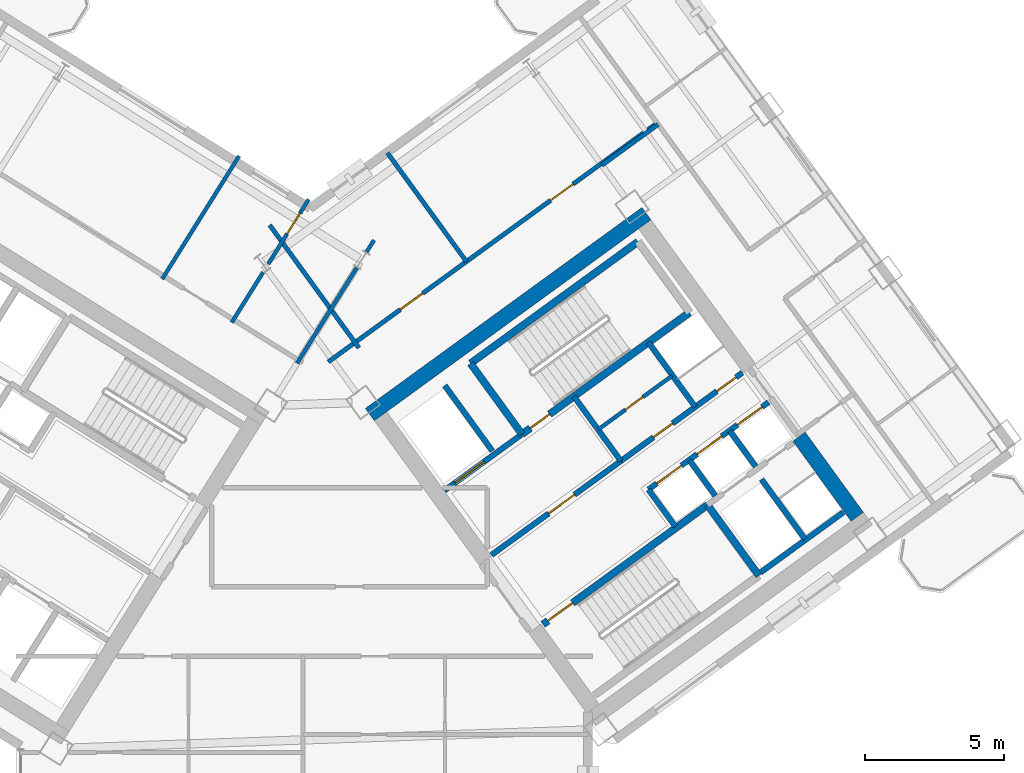
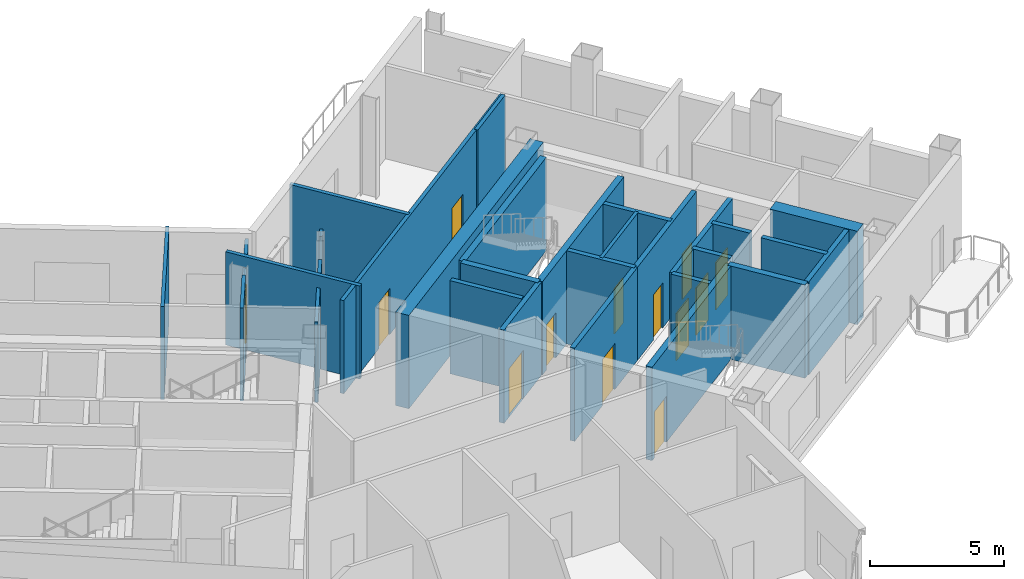
# One storey, part 14 of 21: 29 walls, 13 doors, 13 openings.
"""IFC4 building model written with IfcOpenShell, lengths in metres."""

import ifcopenshell
import ifcopenshell.guid

model = None  # the IFC model being written
_history = None  # IfcOwnerHistory: only IFC2X3 demands one
_inside = {}  # id of a spatial element -> (the spatial element, [elements in it])
_under = {}  # id of a project, library or spatial element -> (it, [spatial elements below it])
_declared = {}  # id of a project -> (the project, [libraries it declares])
_typed = {}  # id of a type object -> (the type object, [elements of that type])
_made_of = {}  # id of a material, layer set ... -> (it, [elements and type objects made of it])


def new_model(schema):
    """Start an empty IFC model of exactly this schema.

    Asked for "IFC4X3", IfcOpenShell would pick the latest addendum, in which some entities
    have other attributes; the version numbers below select the first issue.
    IFC2X3 requires an IfcOwnerHistory on every rooted entity: one is made here for all.
    """
    global model, _history
    if schema == "IFC4X3":
        model = ifcopenshell.file(schema_version=(4, 3, 0, 0))
    else:
        model = ifcopenshell.file(schema=schema)
    _inside.clear()
    _under.clear()
    _declared.clear()
    _typed.clear()
    _made_of.clear()
    _history = None
    if model.schema == "IFC2X3":
        org = make("IfcOrganization", Name="unknown")
        user = make(
            "IfcPersonAndOrganization",
            ThePerson=make("IfcPerson", FamilyName="unknown"),
            TheOrganization=org,
        )
        app = make(
            "IfcApplication",
            ApplicationDeveloper=org,
            Version="unknown",
            ApplicationFullName="unknown",
            ApplicationIdentifier="unknown",
        )
        _history = make(
            "IfcOwnerHistory",
            OwningUser=user,
            OwningApplication=app,
            ChangeAction="ADDED",
            CreationDate=0,
        )
    return model


def make(cls, **values):
    """One entity of the class cls with the attributes given. An attribute that is None is left unset."""
    return model.create_entity(
        cls, **{name: value for name, value in values.items() if value is not None}
    )


def rooted(cls, **values):
    """An entity with a GlobalId (a new one), such as an element, a storey or a relation."""
    return make(cls, GlobalId=ifcopenshell.guid.new(), OwnerHistory=_history, **values)


def si_unit(unit_type, name, prefix=None):
    """IfcSIUnit, for example si_unit("LENGTHUNIT", "METRE", prefix="MILLI")."""
    return make("IfcSIUnit", UnitType=unit_type, Prefix=prefix, Name=name)


def assignment(units):
    """IfcUnitAssignment: the units of a project."""
    return None if units is None else make("IfcUnitAssignment", Units=units)


def point(xyz):
    """IfcCartesianPoint."""
    return None if xyz is None else make("IfcCartesianPoint", Coordinates=xyz)


def direction(xyz):
    """IfcDirection."""
    return None if xyz is None else make("IfcDirection", DirectionRatios=xyz)


def frame(location, z_axis=None, x_axis=None):
    """IfcAxis2Placement3D, a coordinate frame: its origin and axes. An axis left out is left unset."""
    return make(
        "IfcAxis2Placement3D",
        Location=point(location),
        Axis=direction(z_axis),
        RefDirection=direction(x_axis),
    )


def frame_2d(location, x_axis=None):
    """IfcAxis2Placement2D, a coordinate frame in the plane: its origin and x axis."""
    return make(
        "IfcAxis2Placement2D", Location=point(location), RefDirection=direction(x_axis)
    )


def origin():
    """The frame at (0, 0, 0) with its axes left unset."""
    return frame((0.0, 0.0, 0.0))


def place(relative_to, where):
    """IfcLocalPlacement: puts the frame where relative to a parent placement (None: the world)."""
    return make(
        "IfcLocalPlacement", PlacementRelTo=relative_to, RelativePlacement=where
    )


def context(
    kind, dimensions, precision=None, world=None, true_north=None, identifier=None
):
    """IfcGeometricRepresentationContext, for example the 3D "Model" context."""
    return make(
        "IfcGeometricRepresentationContext",
        ContextIdentifier=identifier,
        ContextType=kind,
        CoordinateSpaceDimension=dimensions,
        Precision=precision,
        WorldCoordinateSystem=world,
        TrueNorth=true_north,
    )


def subcontext(parent, identifier, kind, view, scale=None):
    """IfcGeometricRepresentationSubContext, for example "Body" below "Model"."""
    return make(
        "IfcGeometricRepresentationSubContext",
        ContextIdentifier=identifier,
        ContextType=kind,
        ParentContext=parent,
        TargetScale=scale,
        TargetView=view,
    )


def project(units=None, contexts=None):
    """IfcProject with its units and contexts."""
    return rooted(
        "IfcProject",
        Name="project",
        RepresentationContexts=contexts,
        UnitsInContext=assignment(units),
    )


def spatial(cls, under=None, at=None, **own):
    """A site, building, storey or space (cls), placed at a placement, below another one or the project."""
    s = rooted(cls, ObjectPlacement=at, **own)
    if under is not None:
        _under.setdefault(under.id(), (under, []))[1].append(s)
    return s


def profile(cls, at=None, kind="AREA", **sizes):
    """A parametric profile (cls). Its sizes go by their IFC names, for example OverallWidth=200.0."""
    return make(cls, ProfileType=kind, Position=at, **sizes)


def rectangle(**sizes):
    """IfcRectangleProfileDef."""
    return profile("IfcRectangleProfileDef", **sizes)


def extrude(swept, where, along, depth):
    """IfcExtrudedAreaSolid: the profile swept, set in the frame where, extruded along a direction by depth."""
    return make(
        "IfcExtrudedAreaSolid",
        SweptArea=swept,
        Position=where,
        ExtrudedDirection=direction(along),
        Depth=depth,
    )


def shape(context_of_items, identifier, shape_type, items):
    """IfcShapeRepresentation: the items that make up one representation, for example the "Body"."""
    return make(
        "IfcShapeRepresentation",
        ContextOfItems=context_of_items,
        RepresentationIdentifier=identifier,
        RepresentationType=shape_type,
        Items=items,
    )


def source(mapping_origin, context_of_items, identifier, shape_type, items):
    """IfcRepresentationMap: a shape defined once, which mapped items show again and again."""
    return make(
        "IfcRepresentationMap",
        MappingOrigin=mapping_origin,
        MappedRepresentation=shape(context_of_items, identifier, shape_type, items),
    )


def transform(
    local_origin,
    x_axis=None,
    y_axis=None,
    z_axis=None,
    scale=None,
    scale2=None,
    scale3=None,
    uniform=True,
):
    """IfcCartesianTransformationOperator3D, or its non-uniform kind. x_axis, y_axis, z_axis: its Axis1, 2, 3."""
    if uniform:
        return make(
            "IfcCartesianTransformationOperator3D",
            Axis1=direction(x_axis),
            Axis2=direction(y_axis),
            LocalOrigin=point(local_origin),
            Scale=scale,
            Axis3=direction(z_axis),
        )
    return make(
        "IfcCartesianTransformationOperator3DnonUniform",
        Axis1=direction(x_axis),
        Axis2=direction(y_axis),
        LocalOrigin=point(local_origin),
        Scale=scale,
        Axis3=direction(z_axis),
        Scale2=scale2,
        Scale3=scale3,
    )


def mapped(mapping_source, mapping_target):
    """IfcMappedItem: shows the shape of a source again, moved by a transform."""
    return make(
        "IfcMappedItem", MappingSource=mapping_source, MappingTarget=mapping_target
    )


def material(Name=None, Category=None):
    """IfcMaterial."""
    return make("IfcMaterial", Name=Name, Category=Category)


def layer(
    of_material, thickness, ventilated=None, Name=None, Category=None, Priority=None
):
    """IfcMaterialLayer: one layer of a wall or slab, of a material (None: an air gap)."""
    return make(
        "IfcMaterialLayer",
        Material=of_material,
        LayerThickness=thickness,
        IsVentilated=ventilated,
        Name=Name,
        Category=Category,
        Priority=Priority,
    )


def layer_set(layers, Name=None):
    """IfcMaterialLayerSet."""
    return make("IfcMaterialLayerSet", MaterialLayers=layers, LayerSetName=Name)


def made_of(thing, what):
    """Note that an element or type object is made of a material, layer set ...; save() writes the relation."""
    if what is not None:
        _made_of.setdefault(what.id(), (what, []))[1].append(thing)
    return thing


def type_object(cls, material=None, **own):
    """A type object (cls), such as IfcWallType, which elements share."""
    return made_of(rooted(cls, **own), material)


def element(
    cls,
    number,
    at=None,
    inside=None,
    cuts=None,
    type_object=None,
    material=None,
    context=None,
    identifier="Body",
    shape_type=None,
    held_by="IfcProductDefinitionShape",
    body=None,
    shapes=None,
    **own,
):
    """One element of the class cls, such as IfcWall. Its Tag is "e" and its number.

    at: its placement. inside: the storey or other place that contains it. cuts: it is an
    opening in that element (IfcRelVoidsElement). A single representation is given by context,
    identifier, shape_type and body (its items); several are given by shapes. held_by: the class
    of the entity that holds the representations. save() writes the other relations.
    """
    e = rooted(cls, Tag="e%d" % number, ObjectPlacement=at, **own)
    if body is not None:
        shapes = [shape(context, identifier, shape_type, body)]
    if shapes is not None:
        e.Representation = make(held_by, Representations=shapes)
    if inside is not None:
        _inside.setdefault(inside.id(), (inside, []))[1].append(e)
    if cuts is not None:
        rooted(
            "IfcRelVoidsElement", RelatingBuildingElement=cuts, RelatedOpeningElement=e
        )
    if type_object is not None:
        _typed.setdefault(type_object.id(), (type_object, []))[1].append(e)
    return made_of(e, material)


def fill(opening, filler):
    """IfcRelFillsElement: the door or window that sits in an opening."""
    return rooted(
        "IfcRelFillsElement",
        RelatingOpeningElement=opening,
        RelatedBuildingElement=filler,
    )


def aggregate(whole, parts):
    """IfcRelAggregates: a whole, such as a stair, and the parts it consists of."""
    return rooted("IfcRelAggregates", RelatingObject=whole, RelatedObjects=parts)


def save(model, path):
    """Write the relations noted so far, then the file.

    IfcRelAggregates (storeys below a building ...), IfcRelContainedInSpatialStructure (elements
    in a storey), IfcRelDefinesByType, IfcRelAssociatesMaterial and IfcRelDeclares: one each for
    every whole, place, type object, material and project.
    """
    for whole, parts in _under.values():
        aggregate(whole, parts)
    for where, things in _inside.values():
        rooted(
            "IfcRelContainedInSpatialStructure",
            RelatedElements=things,
            RelatingStructure=where,
        )
    for kind, things in _typed.values():
        rooted("IfcRelDefinesByType", RelatedObjects=things, RelatingType=kind)
    for what, things in _made_of.values():
        rooted("IfcRelAssociatesMaterial", RelatedObjects=things, RelatingMaterial=what)
    for by, libraries in _declared.values():
        rooted("IfcRelDeclares", RelatingContext=by, RelatedDefinitions=libraries)
    model.write(path)


model = new_model("IFC4")

# Units and contexts
model_context = context("Model", 3, precision=1e-05, world=origin(), true_north=direction((0.0, 1.0)))
body_context = subcontext(model_context, "Body", "Model", "MODEL_VIEW")
ifc_project = project(units=[si_unit("LENGTHUNIT", "METRE"), si_unit("AREAUNIT", "SQUARE_METRE"), si_unit("VOLUMEUNIT", "CUBIC_METRE"), si_unit("PLANEANGLEUNIT", "RADIAN"), si_unit("MASSUNIT", "GRAM", prefix="KILO")], contexts=[model_context])

# Site, building, storey
site_placement = place(None, origin())
site = spatial("IfcSite", under=ifc_project, at=site_placement, CompositionType="ELEMENT")
building_placement = place(site_placement, origin())
building = spatial("IfcBuilding", under=site, at=building_placement, Name="Tlacorven Tower", CompositionType="ELEMENT")
storey_placement = place(building_placement, frame((0.0, 0.0, 100.800048828125)))
storey = spatial("IfcBuildingStorey", under=building, at=storey_placement, Name="L25", CompositionType="ELEMENT", Elevation=100.800048828125)

# Walls
ifc_material_1 = material(Name="Concrete C60/75", Category="concrete")
ifc_layer_1 = layer(ifc_material_1, 0.550048828125)
ifc_layer_set_1 = layer_set([ifc_layer_1], Name="Concrete C60/75")
wall_type_1 = type_object("IfcWallType", Name="WL-COR-550", PredefinedType="SHEAR", material=ifc_layer_set_1)
wall_1_placement = place(storey_placement, frame((44.364990234375, 24.142333984375, 0.0), z_axis=(0.0, 0.0, 1.0), x_axis=(0.809024304885, 0.587775190107, 0.0)))
element("IfcWall", 1, at=wall_1_placement, inside=storey, type_object=wall_type_1, Name="L25 E core shear wall S2", PredefinedType="SHEAR", context=body_context, shape_type="SweptSolid", body=[
    extrude(rectangle(XDim=12.340087890625, YDim=0.550048828125, at=frame_2d((6.169921875, 0.0))), origin(), (0.0, 0.0, 1.0), 4.25),
])
wall_2_placement = place(storey_placement, frame((61.9580078125, 20.453857421875, 0.0), z_axis=(0.0, 0.0, 1.0), x_axis=(-0.587802113096, 0.809004744015, 0.0)))
element("IfcWall", 2, at=wall_2_placement, inside=storey, type_object=wall_type_1, Name="L25 E core end wall E2.1", PredefinedType="SHEAR", context=body_context, shape_type="SweptSolid", body=[
    extrude(rectangle(XDim=3.574951171875, YDim=0.550048828125, at=frame_2d((1.78759765625, 0.0))), origin(), (0.0, 0.0, 1.0), 4.25),
])
ifc_material_2 = material(Name="Gypsum plasterboard acoustic partition", Category="gypsum")
ifc_layer_2 = layer(ifc_material_2, 0.159912109375)
ifc_layer_set_2 = layer_set([ifc_layer_2], Name="Gypsum plasterboard acoustic partition")
wall_type_2 = type_object("IfcWallType", Name="WL-DEM-160", PredefinedType="PARTITIONING", material=ifc_layer_set_2)
wall_3_placement = place(storey_placement, frame((52.73876953125, 33.143310546875, 0.0), z_axis=(0.0, 0.0, 1.0), x_axis=(0.809000999347, 0.58780726693, 0.0)))
element("IfcWall", 3, at=wall_3_placement, inside=storey, type_object=wall_type_2, Name="L25 partition 90", PredefinedType="PARTITIONING", context=body_context, shape_type="SweptSolid", body=[
    extrude(rectangle(XDim=2.510009765625, YDim=0.159912109375, at=frame_2d((1.2548828125, 0.0))), origin(), (0.0, 0.0, 1.0), 4.239990234375),
])

# Wall, openings, doors
wall_4_placement = place(storey_placement, frame((42.86572265625, 26.04443359375, 0.0), z_axis=(0.0, 0.0, 1.0), x_axis=(0.809020254154, 0.587780765566, 0.0)))
wall_4 = element("IfcWall", 4, at=wall_4_placement, inside=storey, type_object=wall_type_2, Name="L25 partition 98", PredefinedType="PARTITIONING", context=body_context, shape_type="SweptSolid", body=[
    extrude(rectangle(XDim=14.670166015625, YDim=0.159912109375, at=frame_2d((7.3349609375, 0.0))), origin(), (0.0, 0.0, 1.0), 4.239990234375),
])
opening_1_placement = place(wall_4_placement, frame((3.215087890625, 0.0, 0.0)))
opening_1 = element("IfcOpeningElement", 5, at=opening_1_placement, cuts=wall_4, Name="Opening D11", PredefinedType="OPENING", context=body_context, shape_type="SweptSolid", body=[
    extrude(rectangle(XDim=1.0, YDim=2.10009765625, at=frame_2d((0.5, 1.050048828125))), frame((0.0, 0.08984375, 0.0), z_axis=(0.0, -1.0, 0.0), x_axis=(1.0, 0.0, 0.0)), (0.0, 0.0, 1.0), 0.179931640625),
])
opening_2_placement = place(wall_4_placement, frame((9.9150390625, 0.0, 0.0)))
opening_2 = element("IfcOpeningElement", 6, at=opening_2_placement, cuts=wall_4, Name="Opening D11", PredefinedType="OPENING", context=body_context, shape_type="SweptSolid", body=[
    extrude(rectangle(XDim=1.0, YDim=2.10009765625, at=frame_2d((0.5, 1.050048828125))), frame((0.0, 0.08984375, 0.0), z_axis=(0.0, -1.0, 0.0), x_axis=(1.0, 0.0, 0.0)), (0.0, 0.0, 1.0), 0.179931640625),
])
ifc_material_3 = material(Name="Fire-rated steel door assembly", Category="steel")
door_type_1 = type_object("IfcDoorType", Name="DR-FLT-FD60-1000", OperationType="NOTDEFINED", PredefinedType="DOOR", material=ifc_material_3)
shared_shape_1 = source(origin(), body_context, "Body", "SweptSolid", [
    extrude(rectangle(XDim=1.0, YDim=2.10009765625, at=frame_2d((0.5, 1.050048828125))), frame((0.0, 0.02490234375, 0.0), z_axis=(0.0, -1.0, 0.0), x_axis=(1.0, 0.0, 0.0)), (0.0, 0.0, 1.0), 0.050048828125),
])
door_1_placement = place(opening_1_placement, origin())
door_1 = element("IfcDoor", 7, at=door_1_placement, inside=storey, type_object=door_type_1, Name="L25 door 064", OperationType="SINGLE_SWING_RIGHT", OverallHeight=2.10009765625, OverallWidth=1.0, PredefinedType="DOOR", context=body_context, shape_type="MappedRepresentation", body=[
    mapped(shared_shape_1, transform((0.0, 0.0, 0.0), scale=1.0)),
])
fill(opening_1, door_1)
door_2_placement = place(opening_2_placement, origin())
door_2 = element("IfcDoor", 8, at=door_2_placement, inside=storey, type_object=door_type_1, Name="L25 door 065", OperationType="SINGLE_SWING_LEFT", OverallHeight=2.10009765625, OverallWidth=1.0, PredefinedType="DOOR", context=body_context, shape_type="MappedRepresentation", body=[
    mapped(shared_shape_1, transform((0.0, 0.0, 0.0), scale=1.0)),
])
fill(opening_2, door_2)

# Walls
wall_5_placement = place(storey_placement, frame((43.969482421875, 26.549560546875, 0.0), z_axis=(0.0, 0.0, 1.0), x_axis=(-0.587776919386, 0.80902304852, 0.0)))
element("IfcWall", 9, at=wall_5_placement, inside=storey, type_object=wall_type_2, Name="L25 EC West Throat Wall", PredefinedType="PARTITIONING", context=body_context, shape_type="SweptSolid", body=[
    extrude(rectangle(XDim=5.47998046875, YDim=0.159912109375, at=frame_2d((2.739990234375, 0.0))), origin(), (0.0, 0.0, 1.0), 4.239990234375),
])
wall_6_placement = place(storey_placement, frame((47.849365234375, 29.6650390625, 0.0), z_axis=(0.0, 0.0, 1.0), x_axis=(-0.587785532001, 0.809016791155, 0.0)))
element("IfcWall", 10, at=wall_6_placement, inside=storey, type_object=wall_type_2, Name="L25 EC Demising Wall 1", PredefinedType="PARTITIONING", context=body_context, shape_type="SweptSolid", body=[
    extrude(rectangle(XDim=4.85009765625, YDim=0.159912109375, at=frame_2d((2.425048828125, 0.0))), origin(), (0.0, 0.0, 1.0), 4.239990234375),
])

# Wall, opening, door
ifc_material_4 = material(Name="Moisture-resistant gypsum plumbing wall", Category="gypsum")
ifc_layer_3 = layer(ifc_material_4, 0.139892578125)
ifc_layer_set_3 = layer_set([ifc_layer_3], Name="Moisture-resistant gypsum plumbing wall")
wall_type_3 = type_object("IfcWallType", Name="WL-PLM-140", PredefinedType="PLUMBINGWALL", material=ifc_layer_set_3)
wall_7_placement = place(storey_placement, frame((52.617919921875, 23.612060546875, 0.0), z_axis=(0.0, 0.0, 1.0), x_axis=(0.809009587469, 0.587795446889, 0.0)))
wall_7 = element("IfcWall", 11, at=wall_7_placement, inside=storey, type_object=wall_type_3, Name="L25 partition 45", PredefinedType="PLUMBINGWALL", context=body_context, shape_type="SweptSolid", body=[
    extrude(rectangle(XDim=3.280029296875, YDim=0.139892578125, at=frame_2d((1.64013671875, 0.0))), origin(), (0.0, 0.0, 1.0), 4.239990234375),
])
opening_3_placement = place(wall_7_placement, frame((1.199951171875, 0.0, 0.0)))
opening_3 = element("IfcOpeningElement", 12, at=opening_3_placement, cuts=wall_7, Name="Opening D22", PredefinedType="OPENING", context=body_context, shape_type="SweptSolid", body=[
    extrude(rectangle(XDim=0.780029296875, YDim=2.050048828125, at=frame_2d((0.39013671875, 1.02490234375))), frame((0.0, 0.080078125, 0.0), z_axis=(0.0, -1.0, 0.0), x_axis=(1.0, 0.0, 0.0)), (0.0, 0.0, 1.0), 0.159912109375),
])
ifc_material_5 = material(Name="Powder-coated aluminium and timber door", Category="wood")
door_type_2 = type_object("IfcDoorType", Name="DR-INT-WET-0780", OperationType="NOTDEFINED", PredefinedType="DOOR", material=ifc_material_5)
shared_shape_2 = source(origin(), body_context, "Body", "SweptSolid", [
    extrude(rectangle(XDim=0.780029296875, YDim=2.050048828125, at=frame_2d((0.39013671875, 1.02490234375))), frame((0.0, 0.02490234375, 0.0), z_axis=(0.0, -1.0, 0.0), x_axis=(1.0, 0.0, 0.0)), (0.0, 0.0, 1.0), 0.050048828125),
])
door_3_placement = place(opening_3_placement, origin())
door_3 = element("IfcDoor", 13, at=door_3_placement, inside=storey, type_object=door_type_2, Name="L25 door 024", OperationType="SINGLE_SWING_RIGHT", OverallHeight=2.050048828125, OverallWidth=0.780029296875, PredefinedType="DOOR", context=body_context, shape_type="MappedRepresentation", body=[
    mapped(shared_shape_2, transform((0.0, 0.0, 0.0), scale=1.0)),
])
fill(opening_3, door_3)

wall_8_placement = place(storey_placement, frame((42.156005859375, 31.911865234375, 0.0), z_axis=(0.0, 0.0, 1.0), x_axis=(-0.529943141103, -0.848033175765, 0.0)))
wall_8 = element("IfcWall", 14, at=wall_8_placement, inside=storey, type_object=wall_type_3, Name="L25 partition 69", PredefinedType="PLUMBINGWALL", context=body_context, shape_type="SweptSolid", body=[
    extrude(rectangle(XDim=2.753173828125, YDim=0.139892578125, at=frame_2d((1.37646484375, 0.0))), origin(), (0.0, 0.0, 1.0), 3.73486328125),
])
opening_4_placement = place(wall_8_placement, frame((0.593017578125, 0.0, 0.0)))
opening_4 = element("IfcOpeningElement", 15, at=opening_4_placement, cuts=wall_8, Name="Opening D13", PredefinedType="OPENING", context=body_context, shape_type="SweptSolid", body=[
    extrude(rectangle(XDim=0.8798828125, YDim=2.080078125, at=frame_2d((0.43994140625, 1.0400390625))), frame((0.0, 0.080078125, 0.0), z_axis=(0.0, -1.0, 0.0), x_axis=(1.0, 0.0, 0.0)), (0.0, 0.0, 1.0), 0.159912109375),
])
door_type_3 = type_object("IfcDoorType", Name="DR-INT-WET-0880", OperationType="NOTDEFINED", PredefinedType="DOOR", material=ifc_material_5)
shared_shape_3 = source(origin(), body_context, "Body", "SweptSolid", [
    extrude(rectangle(XDim=0.8798828125, YDim=2.080078125, at=frame_2d((0.43994140625, 1.0400390625))), frame((0.0, 0.02490234375, 0.0), z_axis=(0.0, -1.0, 0.0), x_axis=(1.0, 0.0, 0.0)), (0.0, 0.0, 1.0), 0.050048828125),
])
door_4_placement = place(opening_4_placement, origin())
door_4 = element("IfcDoor", 16, at=door_4_placement, inside=storey, type_object=door_type_3, Name="L25 door 042", OperationType="SINGLE_SWING_LEFT", OverallHeight=2.080078125, OverallWidth=0.8798828125, PredefinedType="DOOR", context=body_context, shape_type="MappedRepresentation", body=[
    mapped(shared_shape_3, transform((0.0, 0.0, 0.0), scale=1.0)),
])
fill(opening_4, door_4)

# Walls
wall_9_placement = place(storey_placement, frame((40.511962890625, 29.28076171875, 0.0), z_axis=(0.0, 0.0, 1.0), x_axis=(-0.529947607416, -0.848030384712, 0.0)))
element("IfcWall", 17, at=wall_9_placement, inside=storey, type_object=wall_type_3, Name="L25 partition 69", PredefinedType="PLUMBINGWALL", context=body_context, shape_type="SweptSolid", body=[
    extrude(rectangle(XDim=2.1376953125, YDim=0.139892578125, at=frame_2d((1.06884765625, 0.0))), origin(), (0.0, 0.0, 1.0), 4.239990234375),
])
wall_10_placement = place(storey_placement, frame((44.513671875, 30.438720703125, 0.0), z_axis=(0.0, 0.0, 1.0), x_axis=(-0.529824479439, -0.848107316905, 0.0)))
element("IfcWall", 18, at=wall_10_placement, inside=storey, type_object=wall_type_3, Name="L25 partition 70", PredefinedType="PLUMBINGWALL", context=body_context, shape_type="SweptSolid", body=[
    extrude(rectangle(XDim=0.503173828125, YDim=0.139892578125, at=frame_2d((0.25146484375, 0.0))), origin(), (0.0, 0.0, 1.0), 4.239990234375),
])
wall_11_placement = place(storey_placement, frame((43.889892578125, 29.4404296875, 0.0), z_axis=(0.0, 0.0, 1.0), x_axis=(-0.529928721319, -0.84804218664, 0.0)))
element("IfcWall", 19, at=wall_11_placement, inside=storey, type_object=wall_type_3, Name="L25 partition 70", PredefinedType="PLUMBINGWALL", context=body_context, shape_type="SweptSolid", body=[
    extrude(rectangle(XDim=4.06298828125, YDim=0.139892578125, at=frame_2d((2.031494140625, 0.0))), origin(), (0.0, 0.0, 1.0), 3.675048828125),
])
wall_12_placement = place(storey_placement, frame((39.645751953125, 33.48046875, 0.0), z_axis=(0.0, 0.0, 1.0), x_axis=(-0.529923555071, -0.848045414928, 0.0)))
element("IfcWall", 20, at=wall_12_placement, inside=storey, type_object=wall_type_3, Name="L25 partition 71", PredefinedType="PLUMBINGWALL", context=body_context, shape_type="SweptSolid", body=[
    extrude(rectangle(XDim=5.239990234375, YDim=0.139892578125, at=frame_2d((2.6201171875, 0.0))), origin(), (0.0, 0.0, 1.0), 4.239990234375),
])

# Wall, opening, door
ifc_material_6 = material(Name="Concrete C40/50", Category="concrete")
ifc_layer_4 = layer(ifc_material_6, 0.199951171875)
ifc_layer_set_4 = layer_set([ifc_layer_4], Name="Concrete C40/50")
wall_type_4 = type_object("IfcWallType", Name="WL-SHF-200", PredefinedType="STANDARD", material=ifc_layer_set_4)
wall_13_placement = place(storey_placement, frame((47.0654296875, 21.4072265625, 0.0), z_axis=(0.0, 0.0, 1.0), x_axis=(0.809032984992, 0.587763242466, 0.0)))
wall_13 = element("IfcWall", 21, at=wall_13_placement, inside=storey, type_object=wall_type_4, Name="L25 Core E Firefighting Lift Shaft Front Wall", PredefinedType="STANDARD", context=body_context, shape_type="SweptSolid", body=[
    extrude(rectangle(XDim=3.447998046875, YDim=0.199951171875, at=frame_2d((1.72412109375, 0.0))), origin(), (0.0, 0.0, 1.0), 4.239990234375),
])
opening_5_placement = place(wall_13_placement, frame((0.4580078125, 0.0, 0.0)))
opening_5 = element("IfcOpeningElement", 22, at=opening_5_placement, cuts=wall_13, Name="Opening LD03", PredefinedType="OPENING", context=body_context, shape_type="SweptSolid", body=[
    extrude(rectangle(XDim=1.300048828125, YDim=2.199951171875, at=frame_2d((0.64990234375, 1.10009765625))), frame((0.0, 0.10986328125, 0.0), z_axis=(0.0, -1.0, 0.0), x_axis=(1.0, 0.0, 0.0)), (0.0, 0.0, 1.0), 0.219970703125),
])
door_type_4 = type_object("IfcDoorType", Name="DR-LFT-SLID-1300", OperationType="DOUBLE_DOOR_SLIDING", PredefinedType="DOOR", material=ifc_material_3)
shared_shape_4 = source(origin(), body_context, "Body", "SweptSolid", [
    extrude(rectangle(XDim=1.300048828125, YDim=2.199951171875, at=frame_2d((0.64990234375, 1.10009765625))), frame((0.0, 0.02490234375, 0.0), z_axis=(0.0, -1.0, 0.0), x_axis=(1.0, 0.0, 0.0)), (0.0, 0.0, 1.0), 0.050048828125),
])
door_5_placement = place(opening_5_placement, origin())
door_5 = element("IfcDoor", 23, at=door_5_placement, inside=storey, type_object=door_type_4, Name="L25 Lift FFL-E1 Sliding Landing Door", OperationType="DOUBLE_DOOR_SLIDING", OverallHeight=2.199951171875, OverallWidth=1.300048828125, PredefinedType="DOOR", context=body_context, shape_type="MappedRepresentation", body=[
    mapped(shared_shape_4, transform((0.0, 0.0, 0.0), scale=1.0)),
])
fill(opening_5, door_5)

wall_14_placement = place(storey_placement, frame((48.75830078125, 19.0771484375, 0.0), z_axis=(0.0, 0.0, 1.0), x_axis=(0.809005065155, 0.587801671104, 0.0)))
wall_14 = element("IfcWall", 24, at=wall_14_placement, inside=storey, type_object=wall_type_4, Name="L25 Core E Smoke Lobby Wall", PredefinedType="STANDARD", context=body_context, shape_type="SweptSolid", body=[
    extrude(rectangle(XDim=5.767822265625, YDim=0.199951171875, at=frame_2d((2.8837890625, 0.0))), origin(), (0.0, 0.0, 1.0), 4.239990234375),
])
opening_6_placement = place(wall_14_placement, frame((2.548095703125, 0.0, 0.0)))
opening_6 = element("IfcOpeningElement", 25, at=opening_6_placement, cuts=wall_14, Name="Opening D09", PredefinedType="OPENING", context=body_context, shape_type="SweptSolid", body=[
    extrude(rectangle(XDim=1.14990234375, YDim=2.10009765625, at=frame_2d((0.574951171875, 1.050048828125))), frame((0.0, 0.10986328125, 0.0), z_axis=(0.0, -1.0, 0.0), x_axis=(1.0, 0.0, 0.0)), (0.0, 0.0, 1.0), 0.219970703125),
])
door_type_5 = type_object("IfcDoorType", Name="DR-FFL-FD60-1150", OperationType="NOTDEFINED", PredefinedType="DOOR", material=ifc_material_3)
shared_shape_5 = source(origin(), body_context, "Body", "SweptSolid", [
    extrude(rectangle(XDim=1.14990234375, YDim=2.10009765625, at=frame_2d((0.574951171875, 1.050048828125))), frame((0.0, 0.02490234375, 0.0), z_axis=(0.0, -1.0, 0.0), x_axis=(1.0, 0.0, 0.0)), (0.0, 0.0, 1.0), 0.050048828125),
])
door_6_placement = place(opening_6_placement, origin())
door_6 = element("IfcDoor", 26, at=door_6_placement, inside=storey, type_object=door_type_5, Name="L25 Firefighting Lobby E Fire Door", OperationType="SINGLE_SWING_RIGHT", OverallHeight=2.10009765625, OverallWidth=1.14990234375, PredefinedType="DOOR", context=body_context, shape_type="MappedRepresentation", body=[
    mapped(shared_shape_5, transform((0.0, 0.0, 0.0), scale=1.0)),
])
fill(opening_6, door_6)

# Wall, openings, doors
wall_15_placement = place(storey_placement, frame((54.421142578125, 21.436279296875, 0.0), z_axis=(0.0, 0.0, 1.0), x_axis=(0.809013710463, 0.587789772183, 0.0)))
wall_15 = element("IfcWall", 27, at=wall_15_placement, inside=storey, type_object=wall_type_4, Name="L25 partition 33", PredefinedType="STANDARD", context=body_context, shape_type="SweptSolid", body=[
    extrude(rectangle(XDim=5.360107421875, YDim=0.199951171875, at=frame_2d((2.68017578125, 0.0))), origin(), (0.0, 0.0, 1.0), 4.239990234375),
])
opening_7_placement = place(wall_15_placement, frame((0.3701171875, 0.0, 0.0)))
opening_7 = element("IfcOpeningElement", 28, at=opening_7_placement, cuts=wall_15, Name="Opening LD01", PredefinedType="OPENING", context=body_context, shape_type="SweptSolid", body=[
    extrude(rectangle(XDim=1.10009765625, YDim=2.14990234375, at=frame_2d((0.550048828125, 1.074951171875))), frame((0.0, 0.10986328125, 0.0), z_axis=(0.0, -1.0, 0.0), x_axis=(1.0, 0.0, 0.0)), (0.0, 0.0, 1.0), 0.219970703125),
])
opening_8_placement = place(wall_15_placement, frame((2.169921875, 0.0, 0.0)))
opening_8 = element("IfcOpeningElement", 29, at=opening_8_placement, cuts=wall_15, Name="Opening LD01", PredefinedType="OPENING", context=body_context, shape_type="SweptSolid", body=[
    extrude(rectangle(XDim=1.10009765625, YDim=2.14990234375, at=frame_2d((0.550048828125, 1.074951171875))), frame((0.0, 0.10986328125, 0.0), z_axis=(0.0, -1.0, 0.0), x_axis=(1.0, 0.0, 0.0)), (0.0, 0.0, 1.0), 0.219970703125),
])
opening_9_placement = place(wall_15_placement, frame((3.969970703125, 0.0, 0.0)))
opening_9 = element("IfcOpeningElement", 30, at=opening_9_placement, cuts=wall_15, Name="Opening LD01", PredefinedType="OPENING", context=body_context, shape_type="SweptSolid", body=[
    extrude(rectangle(XDim=1.10009765625, YDim=2.14990234375, at=frame_2d((0.550048828125, 1.074951171875))), frame((0.0, 0.10986328125, 0.0), z_axis=(0.0, -1.0, 0.0), x_axis=(1.0, 0.0, 0.0)), (0.0, 0.0, 1.0), 0.219970703125),
])
door_type_6 = type_object("IfcDoorType", Name="DR-LFT-SLID-1100", OperationType="DOUBLE_DOOR_SLIDING", PredefinedType="DOOR", material=ifc_material_3)
shared_shape_6 = source(origin(), body_context, "Body", "SweptSolid", [
    extrude(rectangle(XDim=1.10009765625, YDim=2.14990234375, at=frame_2d((0.550048828125, 1.074951171875))), frame((0.0, 0.02490234375, 0.0), z_axis=(0.0, -1.0, 0.0), x_axis=(1.0, 0.0, 0.0)), (0.0, 0.0, 1.0), 0.050048828125),
])
door_7_placement = place(opening_7_placement, origin())
door_7 = element("IfcDoor", 31, at=door_7_placement, inside=storey, type_object=door_type_6, Name="L25 Lift PL-L1 Sliding Landing Door", OperationType="DOUBLE_DOOR_SLIDING", OverallHeight=2.14990234375, OverallWidth=1.10009765625, PredefinedType="DOOR", context=body_context, shape_type="MappedRepresentation", body=[
    mapped(shared_shape_6, transform((0.0, 0.0, 0.0), scale=1.0)),
])
fill(opening_7, door_7)
door_8_placement = place(opening_8_placement, origin())
door_8 = element("IfcDoor", 32, at=door_8_placement, inside=storey, type_object=door_type_6, Name="L25 Lift PL-L2 Sliding Landing Door", OperationType="DOUBLE_DOOR_SLIDING", OverallHeight=2.14990234375, OverallWidth=1.10009765625, PredefinedType="DOOR", context=body_context, shape_type="MappedRepresentation", body=[
    mapped(shared_shape_6, transform((0.0, 0.0, 0.0), scale=1.0)),
])
fill(opening_8, door_8)
door_9_placement = place(opening_9_placement, origin())
door_9 = element("IfcDoor", 33, at=door_9_placement, inside=storey, type_object=door_type_6, Name="L25 Lift PL-L3 Sliding Landing Door", OperationType="DOUBLE_DOOR_SLIDING", OverallHeight=2.14990234375, OverallWidth=1.10009765625, PredefinedType="DOOR", context=body_context, shape_type="MappedRepresentation", body=[
    mapped(shared_shape_6, transform((0.0, 0.0, 0.0), scale=1.0)),
])
fill(opening_9, door_9)

# Walls
wall_16_placement = place(storey_placement, frame((55.390869140625, 20.1015625, 0.0), z_axis=(0.0, 0.0, 1.0), x_axis=(-0.58778447739, 0.809017557374, 0.0)))
element("IfcWall", 34, at=wall_16_placement, inside=storey, type_object=wall_type_4, Name="L25 partition 34", PredefinedType="STANDARD", context=body_context, shape_type="SweptSolid", body=[
    extrude(rectangle(XDim=1.64990234375, YDim=0.199951171875, at=frame_2d((0.824951171875, 0.0))), origin(), (0.0, 0.0, 1.0), 4.239990234375),
])
wall_17_placement = place(storey_placement, frame((48.78564453125, 22.830078125, 0.0), z_axis=(0.0, 0.0, 1.0), x_axis=(-0.587783856777, 0.809018008275, 0.0)))
element("IfcWall", 35, at=wall_17_placement, inside=storey, type_object=wall_type_4, Name="L25 partition 35", PredefinedType="STANDARD", context=body_context, shape_type="SweptSolid", body=[
    extrude(rectangle(XDim=2.919921875, YDim=0.199951171875, at=frame_2d((1.4599609375, 0.0))), origin(), (0.0, 0.0, 1.0), 4.239990234375),
])
wall_18_placement = place(storey_placement, frame((56.833984375, 21.211669921875, 0.0), z_axis=(0.0, 0.0, 1.0), x_axis=(-0.58776738483, 0.809029975545, 0.0)))
element("IfcWall", 36, at=wall_18_placement, inside=storey, type_object=wall_type_4, Name="L25 partition 36", PredefinedType="STANDARD", context=body_context, shape_type="SweptSolid", body=[
    extrude(rectangle(XDim=1.580078125, YDim=0.199951171875, at=frame_2d((0.7900390625, 0.0))), origin(), (0.0, 0.0, 1.0), 4.239990234375),
])
wall_19_placement = place(storey_placement, frame((58.290283203125, 22.269775390625, 0.0), z_axis=(0.0, 0.0, 1.0), x_axis=(-0.587840865826, 0.808976585857, 0.0)))
element("IfcWall", 37, at=wall_19_placement, inside=storey, type_object=wall_type_4, Name="L25 partition 37", PredefinedType="STANDARD", context=body_context, shape_type="SweptSolid", body=[
    extrude(rectangle(XDim=1.579833984375, YDim=0.199951171875, at=frame_2d((0.7900390625, 0.0))), origin(), (0.0, 0.0, 1.0), 4.239990234375),
])
wall_20_placement = place(storey_placement, frame((60.066650390625, 19.654541015625, 0.0), z_axis=(0.0, 0.0, 1.0), x_axis=(-0.587800520745, 0.809005900975, 0.0)))
element("IfcWall", 38, at=wall_20_placement, inside=storey, type_object=wall_type_4, Name="L25 partition 38", PredefinedType="STANDARD", context=body_context, shape_type="SweptSolid", body=[
    extrude(rectangle(XDim=2.659912109375, YDim=0.199951171875, at=frame_2d((1.330078125, 0.0))), origin(), (0.0, 0.0, 1.0), 4.239990234375),
])
wall_21_placement = place(storey_placement, frame((58.47216796875, 18.446533203125, 0.0), z_axis=(0.0, 0.0, 1.0), x_axis=(0.809018631237, 0.587782999339, 0.0)))
element("IfcWall", 39, at=wall_21_placement, inside=storey, type_object=wall_type_4, Name="L25 partition 40", PredefinedType="STANDARD", context=body_context, shape_type="SweptSolid", body=[
    extrude(rectangle(XDim=3.697998046875, YDim=0.199951171875, at=frame_2d((1.84912109375, 0.0))), origin(), (0.0, 0.0, 1.0), 4.239990234375),
])
wall_22_placement = place(storey_placement, frame((53.424560546875, 22.467529296875, 0.0), z_axis=(0.0, 0.0, 1.0), x_axis=(-0.5877230039, 0.809062216821, 0.0)))
element("IfcWall", 40, at=wall_22_placement, inside=storey, type_object=wall_type_4, Name="L25 partition 42", PredefinedType="STANDARD", context=body_context, shape_type="SweptSolid", body=[
    extrude(rectangle(XDim=2.8798828125, YDim=0.199951171875, at=frame_2d((1.43994140625, 0.0))), origin(), (0.0, 0.0, 1.0), 4.239990234375),
])
wall_23_placement = place(storey_placement, frame((56.110595703125, 24.4189453125, 0.0), z_axis=(0.0, 0.0, 1.0), x_axis=(-0.58777848983, 0.809021907548, 0.0)))
element("IfcWall", 41, at=wall_23_placement, inside=storey, type_object=wall_type_4, Name="L25 partition 43", PredefinedType="STANDARD", context=body_context, shape_type="SweptSolid", body=[
    extrude(rectangle(XDim=2.880126953125, YDim=0.199951171875, at=frame_2d((1.43994140625, 0.0))), origin(), (0.0, 0.0, 1.0), 4.239990234375),
])

# Wall, openings, doors
wall_24_placement = place(storey_placement, frame((53.424560546875, 22.467529296875, 0.0), z_axis=(0.0, 0.0, 1.0), x_axis=(0.809024377198, 0.587775090574, 0.0)))
wall_24 = element("IfcWall", 42, at=wall_24_placement, inside=storey, type_object=wall_type_4, Name="L25 Core E North Service Wall", PredefinedType="STANDARD", context=body_context, shape_type="SweptSolid", body=[
    extrude(rectangle(XDim=5.41796875, YDim=0.199951171875, at=frame_2d((2.708984375, 0.0))), origin(), (0.0, 0.0, 1.0), 4.239990234375),
])
opening_10_placement = place(wall_24_placement, frame((4.280029296875, 0.0, 0.0)))
opening_10 = element("IfcOpeningElement", 43, at=opening_10_placement, cuts=wall_24, Name="Opening D19", PredefinedType="OPENING", context=body_context, shape_type="SweptSolid", body=[
    extrude(rectangle(XDim=0.860107421875, YDim=2.050048828125, at=frame_2d((0.43017578125, 1.02490234375))), frame((0.0, 0.10986328125, 0.0), z_axis=(0.0, -1.0, 0.0), x_axis=(1.0, 0.0, 0.0)), (0.0, 0.0, 1.0), 0.219970703125),
])
opening_11_placement = place(wall_24_placement, frame((1.449951171875, 0.0, 0.0)))
opening_11 = element("IfcOpeningElement", 44, at=opening_11_placement, cuts=wall_24, Name="Opening D19", PredefinedType="OPENING", context=body_context, shape_type="SweptSolid", body=[
    extrude(rectangle(XDim=0.860107421875, YDim=2.050048828125, at=frame_2d((0.43017578125, 1.02490234375))), frame((0.0, 0.10986328125, 0.0), z_axis=(0.0, -1.0, 0.0), x_axis=(1.0, 0.0, 0.0)), (0.0, 0.0, 1.0), 0.219970703125),
])
door_type_7 = type_object("IfcDoorType", Name="DR-RSR-FD60-0860", OperationType="NOTDEFINED", PredefinedType="DOOR", material=ifc_material_3)
shared_shape_7 = source(origin(), body_context, "Body", "SweptSolid", [
    extrude(rectangle(XDim=0.860107421875, YDim=2.050048828125, at=frame_2d((0.43017578125, 1.02490234375))), frame((0.0, 0.02490234375, 0.0), z_axis=(0.0, -1.0, 0.0), x_axis=(1.0, 0.0, 0.0)), (0.0, 0.0, 1.0), 0.050048828125),
])
door_10_placement = place(opening_10_placement, frame((0.860107421875, 0.0, 0.0), z_axis=(0.0, 0.0, 1.0), x_axis=(-1.0, 0.0, 0.0)))
door_10 = element("IfcDoor", 45, at=door_10_placement, inside=storey, type_object=door_type_7, Name="L25 Electrical Riser Access Door E", OperationType="SINGLE_SWING_RIGHT", OverallHeight=2.050048828125, OverallWidth=0.860107421875, PredefinedType="DOOR", context=body_context, shape_type="MappedRepresentation", body=[
    mapped(shared_shape_7, transform((0.0, 0.0, 0.0), scale=1.0)),
])
fill(opening_10, door_10)
door_11_placement = place(opening_11_placement, frame((0.860107421875, 0.0, 0.0), z_axis=(0.0, 0.0, 1.0), x_axis=(-1.0, 0.0, 0.0)))
door_11 = element("IfcDoor", 46, at=door_11_placement, inside=storey, type_object=door_type_7, Name="L25 Cleaner Store Access Door E", OperationType="SINGLE_SWING_LEFT", OverallHeight=2.050048828125, OverallWidth=0.860107421875, PredefinedType="DOOR", context=body_context, shape_type="MappedRepresentation", body=[
    mapped(shared_shape_7, transform((0.0, 0.0, 0.0), scale=1.0)),
])
fill(opening_11, door_11)

# Wall
ifc_material_7 = material(Name="Concrete C50/60", Category="concrete")
ifc_layer_5 = layer(ifc_material_7, 0.260009765625)
ifc_layer_set_5 = layer_set([ifc_layer_5], Name="Concrete C50/60")
wall_type_5 = type_object("IfcWallType", Name="WL-STW-260", PredefinedType="SHEAR", material=ifc_layer_set_5)
wall_25_placement = place(storey_placement, frame((48.005615234375, 25.996337890625, 0.0), z_axis=(0.0, 0.0, 1.0), x_axis=(0.80901903764, 0.587782439969, 0.0)))
element("IfcWall", 47, at=wall_25_placement, inside=storey, type_object=wall_type_5, Name="L25 Stair E1 Far Shear Wall", PredefinedType="SHEAR", context=body_context, shape_type="SweptSolid", body=[
    extrude(rectangle(XDim=7.4599609375, YDim=0.260009765625, at=frame_2d((3.72998046875, 0.0))), origin(), (0.0, 0.0, 1.0), 4.25),
])

# Wall, opening, door
wall_26_placement = place(storey_placement, frame((49.863037109375, 23.439697265625, 0.0), z_axis=(0.0, 0.0, 1.0), x_axis=(0.809003474932, 0.587803859759, 0.0)))
wall_26 = element("IfcWall", 48, at=wall_26_placement, inside=storey, type_object=wall_type_5, Name="L25 Stair E1 Lobby Shear Wall", PredefinedType="SHEAR", context=body_context, shape_type="SweptSolid", body=[
    extrude(rectangle(XDim=7.4599609375, YDim=0.260009765625, at=frame_2d((3.72998046875, 0.0))), origin(), (0.0, 0.0, 1.0), 4.25),
])
opening_12_placement = place(wall_26_placement, frame((0.360107421875, 0.0, 0.0)))
opening_12 = element("IfcOpeningElement", 49, at=opening_12_placement, cuts=wall_26, Name="Opening D19", PredefinedType="OPENING", context=body_context, shape_type="SweptSolid", body=[
    extrude(rectangle(XDim=0.860107421875, YDim=2.050048828125, at=frame_2d((0.43017578125, 1.02490234375))), frame((0.0, 0.14013671875, 0.0), z_axis=(0.0, -1.0, 0.0), x_axis=(1.0, 0.0, 0.0)), (0.0, 0.0, 1.0), 0.280029296875),
])
door_12_placement = place(opening_12_placement, frame((0.860107421875, 0.0, 0.0), z_axis=(0.0, 0.0, 1.0), x_axis=(-1.0, 0.0, 0.0)))
door_12 = element("IfcDoor", 50, at=door_12_placement, inside=storey, type_object=door_type_7, Name="L25 Exit Stair E1 Fire Door", OperationType="SINGLE_SWING_LEFT", OverallHeight=2.050048828125, OverallWidth=0.860107421875, PredefinedType="DOOR", context=body_context, shape_type="MappedRepresentation", body=[
    mapped(shared_shape_7, transform((0.0, 0.0, 0.0), scale=1.0)),
])
fill(opening_12, door_12)

# Wall
wall_27_placement = place(storey_placement, frame((49.85498046875, 23.433837890625, 0.0), z_axis=(0.0, 0.0, 1.0), x_axis=(-0.58776738483, 0.809029975545, 0.0)))
element("IfcWall", 51, at=wall_27_placement, inside=storey, type_object=wall_type_5, Name="L25 Stair E1 West Shear Wall", PredefinedType="SHEAR", context=body_context, shape_type="SweptSolid", body=[
    extrude(rectangle(XDim=3.16015625, YDim=0.260009765625, at=frame_2d((1.580078125, 0.0))), origin(), (0.0, 0.0, 1.0), 4.25),
])

# Wall, opening, door
wall_28_placement = place(storey_placement, frame((50.61474609375, 16.569580078125, 0.0), z_axis=(0.0, 0.0, 1.0), x_axis=(0.809028366311, 0.587769599847, 0.0)))
wall_28 = element("IfcWall", 52, at=wall_28_placement, inside=storey, type_object=wall_type_5, Name="L25 Stair E2 Lobby Shear Wall", PredefinedType="SHEAR", context=body_context, shape_type="SweptSolid", body=[
    extrude(rectangle(XDim=7.330078125, YDim=0.260009765625, at=frame_2d((3.6650390625, 0.0))), origin(), (0.0, 0.0, 1.0), 4.25),
])
opening_13_placement = place(wall_28_placement, frame((0.219970703125, 0.0, 0.0)))
opening_13 = element("IfcOpeningElement", 53, at=opening_13_placement, cuts=wall_28, Name="Opening D07", PredefinedType="OPENING", context=body_context, shape_type="SweptSolid", body=[
    extrude(rectangle(XDim=1.10009765625, YDim=2.10009765625, at=frame_2d((0.550048828125, 1.050048828125))), frame((0.0, 0.14013671875, 0.0), z_axis=(0.0, -1.0, 0.0), x_axis=(1.0, 0.0, 0.0)), (0.0, 0.0, 1.0), 0.280029296875),
])
door_type_8 = type_object("IfcDoorType", Name="DR-STR-FD90-1100", OperationType="NOTDEFINED", PredefinedType="DOOR", material=ifc_material_3)
shared_shape_8 = source(origin(), body_context, "Body", "SweptSolid", [
    extrude(rectangle(XDim=1.10009765625, YDim=2.10009765625, at=frame_2d((0.550048828125, 1.050048828125))), frame((0.0, 0.02490234375, 0.0), z_axis=(0.0, -1.0, 0.0), x_axis=(1.0, 0.0, 0.0)), (0.0, 0.0, 1.0), 0.050048828125),
])
door_13_placement = place(opening_13_placement, origin())
door_13 = element("IfcDoor", 54, at=door_13_placement, inside=storey, type_object=door_type_8, Name="L25 Exit Stair E2 Fire Door", OperationType="SINGLE_SWING_LEFT", OverallHeight=2.10009765625, OverallWidth=1.10009765625, PredefinedType="DOOR", context=body_context, shape_type="MappedRepresentation", body=[
    mapped(shared_shape_8, transform((0.0, 0.0, 0.0), scale=1.0)),
])
fill(opening_13, door_13)

# Wall
wall_29_placement = place(storey_placement, frame((58.410400390625, 18.327392578125, 0.0), z_axis=(0.0, 0.0, 1.0), x_axis=(-0.58776738483, 0.809029975545, 0.0)))
element("IfcWall", 55, at=wall_29_placement, inside=storey, type_object=wall_type_5, Name="L25 Stair E2 East Shear Wall", PredefinedType="SHEAR", context=body_context, shape_type="SweptSolid", body=[
    extrude(rectangle(XDim=3.16015625, YDim=0.260009765625, at=frame_2d((1.580078125, 0.0))), origin(), (0.0, 0.0, 1.0), 4.25),
])

save(model, "model.ifc")
